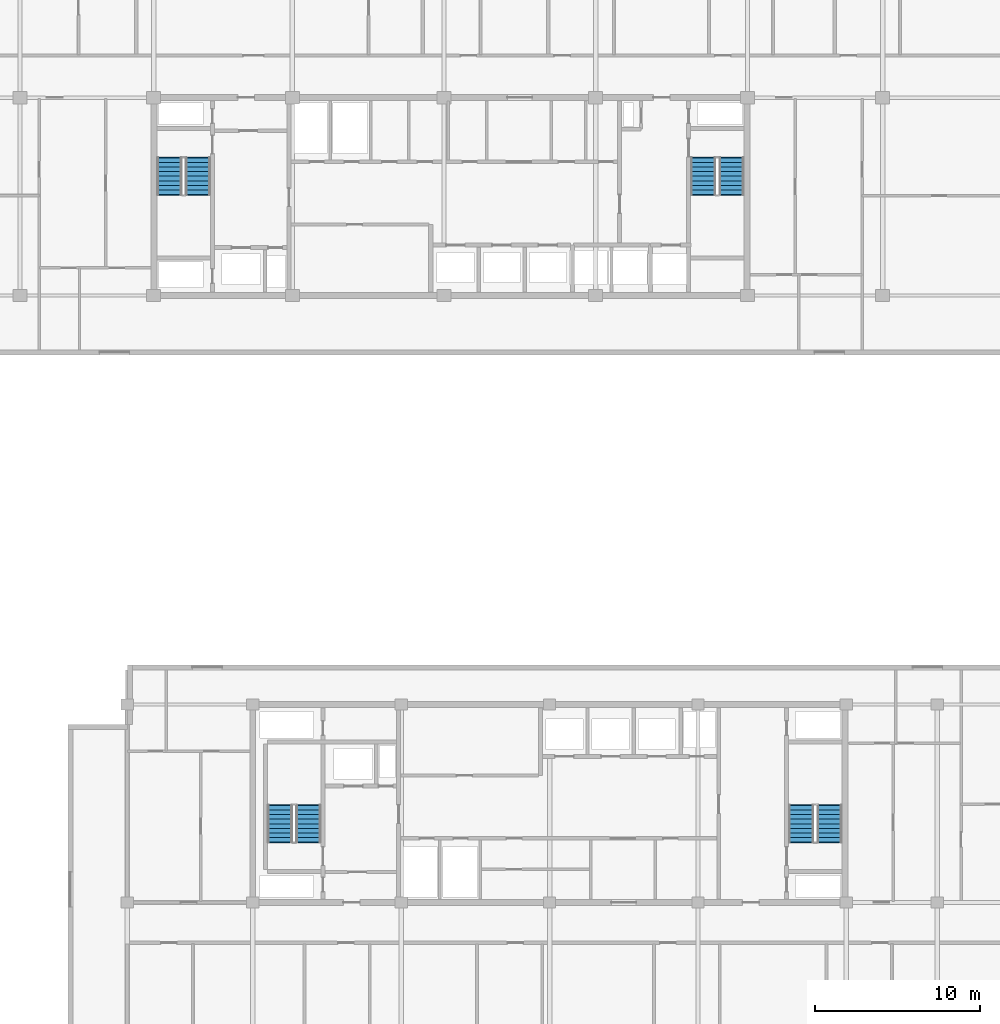
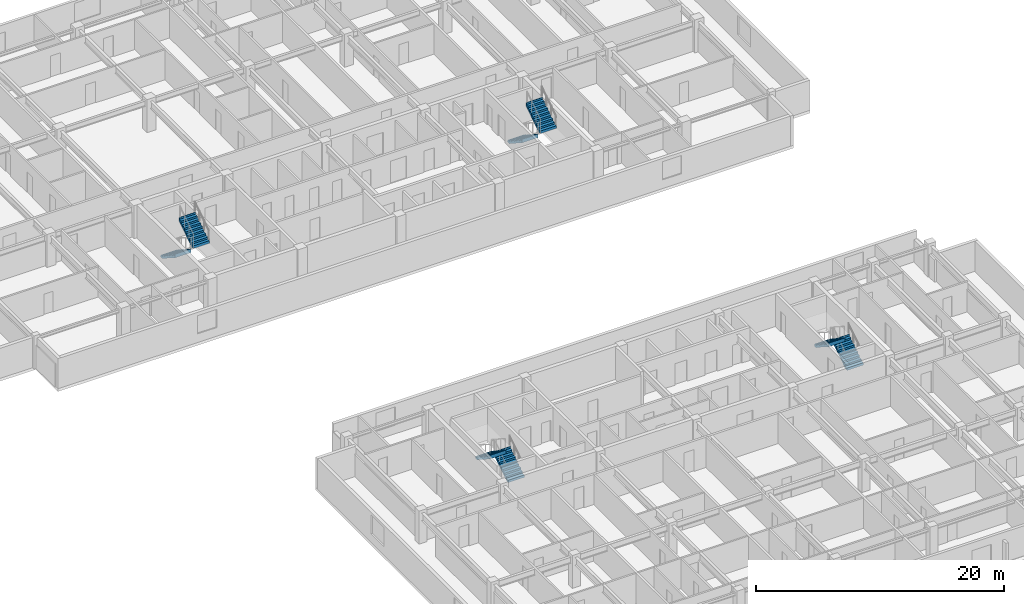
# One storey, part 16 of 21: 8 stair flights, 4 elements without a shape of their own.
"""IFC4 building model written with IfcOpenShell, lengths in metres."""

import ifcopenshell
import ifcopenshell.guid

model = None  # the IFC model being written
_history = None  # IfcOwnerHistory: only IFC2X3 demands one
_inside = {}  # id of a spatial element -> (the spatial element, [elements in it])
_under = {}  # id of a project, library or spatial element -> (it, [spatial elements below it])
_declared = {}  # id of a project -> (the project, [libraries it declares])
_typed = {}  # id of a type object -> (the type object, [elements of that type])
_made_of = {}  # id of a material, layer set ... -> (it, [elements and type objects made of it])


def new_model(schema):
    """Start an empty IFC model of exactly this schema.

    Asked for "IFC4X3", IfcOpenShell would pick the latest addendum, in which some entities
    have other attributes; the version numbers below select the first issue.
    IFC2X3 requires an IfcOwnerHistory on every rooted entity: one is made here for all.
    """
    global model, _history
    if schema == "IFC4X3":
        model = ifcopenshell.file(schema_version=(4, 3, 0, 0))
    else:
        model = ifcopenshell.file(schema=schema)
    _inside.clear()
    _under.clear()
    _declared.clear()
    _typed.clear()
    _made_of.clear()
    _history = None
    if model.schema == "IFC2X3":
        org = make("IfcOrganization", Name="unknown")
        user = make(
            "IfcPersonAndOrganization",
            ThePerson=make("IfcPerson", FamilyName="unknown"),
            TheOrganization=org,
        )
        app = make(
            "IfcApplication",
            ApplicationDeveloper=org,
            Version="unknown",
            ApplicationFullName="unknown",
            ApplicationIdentifier="unknown",
        )
        _history = make(
            "IfcOwnerHistory",
            OwningUser=user,
            OwningApplication=app,
            ChangeAction="ADDED",
            CreationDate=0,
        )
    return model


def make(cls, **values):
    """One entity of the class cls with the attributes given. An attribute that is None is left unset."""
    return model.create_entity(
        cls, **{name: value for name, value in values.items() if value is not None}
    )


def rooted(cls, **values):
    """An entity with a GlobalId (a new one), such as an element, a storey or a relation."""
    return make(cls, GlobalId=ifcopenshell.guid.new(), OwnerHistory=_history, **values)


def si_unit(unit_type, name, prefix=None):
    """IfcSIUnit, for example si_unit("LENGTHUNIT", "METRE", prefix="MILLI")."""
    return make("IfcSIUnit", UnitType=unit_type, Prefix=prefix, Name=name)


def assignment(units):
    """IfcUnitAssignment: the units of a project."""
    return None if units is None else make("IfcUnitAssignment", Units=units)


def point(xyz):
    """IfcCartesianPoint."""
    return None if xyz is None else make("IfcCartesianPoint", Coordinates=xyz)


def direction(xyz):
    """IfcDirection."""
    return None if xyz is None else make("IfcDirection", DirectionRatios=xyz)


def frame(location, z_axis=None, x_axis=None):
    """IfcAxis2Placement3D, a coordinate frame: its origin and axes. An axis left out is left unset."""
    return make(
        "IfcAxis2Placement3D",
        Location=point(location),
        Axis=direction(z_axis),
        RefDirection=direction(x_axis),
    )


def origin():
    """The frame at (0, 0, 0) with its axes left unset."""
    return frame((0.0, 0.0, 0.0))


def place(relative_to, where):
    """IfcLocalPlacement: puts the frame where relative to a parent placement (None: the world)."""
    return make(
        "IfcLocalPlacement", PlacementRelTo=relative_to, RelativePlacement=where
    )


def context(
    kind, dimensions, precision=None, world=None, true_north=None, identifier=None
):
    """IfcGeometricRepresentationContext, for example the 3D "Model" context."""
    return make(
        "IfcGeometricRepresentationContext",
        ContextIdentifier=identifier,
        ContextType=kind,
        CoordinateSpaceDimension=dimensions,
        Precision=precision,
        WorldCoordinateSystem=world,
        TrueNorth=true_north,
    )


def subcontext(parent, identifier, kind, view, scale=None):
    """IfcGeometricRepresentationSubContext, for example "Body" below "Model"."""
    return make(
        "IfcGeometricRepresentationSubContext",
        ContextIdentifier=identifier,
        ContextType=kind,
        ParentContext=parent,
        TargetScale=scale,
        TargetView=view,
    )


def project(units=None, contexts=None):
    """IfcProject with its units and contexts."""
    return rooted(
        "IfcProject",
        Name="project",
        RepresentationContexts=contexts,
        UnitsInContext=assignment(units),
    )


def spatial(cls, under=None, at=None, **own):
    """A site, building, storey or space (cls), placed at a placement, below another one or the project."""
    s = rooted(cls, ObjectPlacement=at, **own)
    if under is not None:
        _under.setdefault(under.id(), (under, []))[1].append(s)
    return s


def polyline(points):
    """IfcPolyline through the points."""
    return make("IfcPolyline", Points=[point(p) for p in points])


def outline(outer, holes=None, kind="AREA"):
    """IfcArbitraryClosedProfileDef: a profile drawn as a closed curve; with holes, ...WithVoids."""
    if holes is None:
        return make("IfcArbitraryClosedProfileDef", ProfileType=kind, OuterCurve=outer)
    return make(
        "IfcArbitraryProfileDefWithVoids",
        ProfileType=kind,
        OuterCurve=outer,
        InnerCurves=holes,
    )


def extrude(swept, where, along, depth):
    """IfcExtrudedAreaSolid: the profile swept, set in the frame where, extruded along a direction by depth."""
    return make(
        "IfcExtrudedAreaSolid",
        SweptArea=swept,
        Position=where,
        ExtrudedDirection=direction(along),
        Depth=depth,
    )


def shape(context_of_items, identifier, shape_type, items):
    """IfcShapeRepresentation: the items that make up one representation, for example the "Body"."""
    return make(
        "IfcShapeRepresentation",
        ContextOfItems=context_of_items,
        RepresentationIdentifier=identifier,
        RepresentationType=shape_type,
        Items=items,
    )


def material(Name=None, Category=None):
    """IfcMaterial."""
    return make("IfcMaterial", Name=Name, Category=Category)


def made_of(thing, what):
    """Note that an element or type object is made of a material, layer set ...; save() writes the relation."""
    if what is not None:
        _made_of.setdefault(what.id(), (what, []))[1].append(thing)
    return thing


def type_object(cls, material=None, **own):
    """A type object (cls), such as IfcWallType, which elements share."""
    return made_of(rooted(cls, **own), material)


def element(
    cls,
    number,
    at=None,
    inside=None,
    cuts=None,
    type_object=None,
    material=None,
    context=None,
    identifier="Body",
    shape_type=None,
    held_by="IfcProductDefinitionShape",
    body=None,
    shapes=None,
    **own,
):
    """One element of the class cls, such as IfcWall. Its Tag is "e" and its number.

    at: its placement. inside: the storey or other place that contains it. cuts: it is an
    opening in that element (IfcRelVoidsElement). A single representation is given by context,
    identifier, shape_type and body (its items); several are given by shapes. held_by: the class
    of the entity that holds the representations. save() writes the other relations.
    """
    e = rooted(cls, Tag="e%d" % number, ObjectPlacement=at, **own)
    if body is not None:
        shapes = [shape(context, identifier, shape_type, body)]
    if shapes is not None:
        e.Representation = make(held_by, Representations=shapes)
    if inside is not None:
        _inside.setdefault(inside.id(), (inside, []))[1].append(e)
    if cuts is not None:
        rooted(
            "IfcRelVoidsElement", RelatingBuildingElement=cuts, RelatedOpeningElement=e
        )
    if type_object is not None:
        _typed.setdefault(type_object.id(), (type_object, []))[1].append(e)
    return made_of(e, material)


def aggregate(whole, parts):
    """IfcRelAggregates: a whole, such as a stair, and the parts it consists of."""
    return rooted("IfcRelAggregates", RelatingObject=whole, RelatedObjects=parts)


def save(model, path):
    """Write the relations noted so far, then the file.

    IfcRelAggregates (storeys below a building ...), IfcRelContainedInSpatialStructure (elements
    in a storey), IfcRelDefinesByType, IfcRelAssociatesMaterial and IfcRelDeclares: one each for
    every whole, place, type object, material and project.
    """
    for whole, parts in _under.values():
        aggregate(whole, parts)
    for where, things in _inside.values():
        rooted(
            "IfcRelContainedInSpatialStructure",
            RelatedElements=things,
            RelatingStructure=where,
        )
    for kind, things in _typed.values():
        rooted("IfcRelDefinesByType", RelatedObjects=things, RelatingType=kind)
    for what, things in _made_of.values():
        rooted("IfcRelAssociatesMaterial", RelatedObjects=things, RelatingMaterial=what)
    for by, libraries in _declared.values():
        rooted("IfcRelDeclares", RelatingContext=by, RelatedDefinitions=libraries)
    model.write(path)


model = new_model("IFC4")

# Units and contexts
model_context = context("Model", 3, precision=1e-05, world=origin(), true_north=direction((0.0, 1.0)))
body_context = subcontext(model_context, "Body", "Model", "MODEL_VIEW")
ifc_project = project(units=[si_unit("LENGTHUNIT", "METRE"), si_unit("AREAUNIT", "SQUARE_METRE"), si_unit("VOLUMEUNIT", "CUBIC_METRE"), si_unit("PLANEANGLEUNIT", "RADIAN"), si_unit("MASSUNIT", "GRAM", prefix="KILO")], contexts=[model_context])

# Site, building, storey
site_placement = place(None, origin())
site = spatial("IfcSite", under=ifc_project, at=site_placement, CompositionType="ELEMENT")
building_placement = place(site_placement, origin())
building = spatial("IfcBuilding", under=site, at=building_placement, Name="Korimba Cascade Residences", CompositionType="ELEMENT")
storey_placement = place(building_placement, frame((0.0, 0.0, 171.85009765625)))
storey = spatial("IfcBuildingStorey", under=building, at=storey_placement, Name="L49", CompositionType="ELEMENT", Elevation=171.85009765625)

# Stair, stair flights
ifc_material = material(Name="Concrete C50/60", Category="concrete")
stair_type_1 = type_object("IfcStairType", Name="STR-W1-18R-1806", PredefinedType="HALF_TURN_STAIR", material=ifc_material)
stair_1_placement = place(storey_placement, origin())
stair_1 = element("IfcStair", 1, at=stair_1_placement, inside=storey, type_object=stair_type_1, Name="L49 Tower 1 West Fire Stair ST-W1", PredefinedType="HALF_TURN_STAIR")
stair_flight_type = type_object("IfcStairFlightType", Name="STF-DL-18R-1806-1520", PredefinedType="STRAIGHT", material=ifc_material)
stair_flight_1_placement = place(storey_placement, frame((77.06005859375, 63.550048828125, 0.0), z_axis=(0.0, 0.0, 1.0), x_axis=(0.0, -1.0, 0.0)))
stair_flight_1 = element("IfcStairFlight", 2, at=stair_flight_1_placement, type_object=stair_flight_type, Name="ST-W1 flight 1", NumberOfRisers=9, NumberOfTreads=8, PredefinedType="STRAIGHT", RiserHeight=0.180555556, TreadLength=0.28, context=body_context, shape_type="SweptSolid", body=[
    extrude(outline(polyline([(-0.0380859375, 0.0), (0.0, 0.1806640625), (0.280029296875, 0.1806640625), (0.280029296875, 0.361083984375), (0.56005859375, 0.361083984375), (0.56005859375, 0.541748046875), (0.840087890625, 0.541748046875), (0.840087890625, 0.72216796875), (1.1201171875, 0.72216796875), (1.1201171875, 0.90283203125), (1.39990234375, 0.90283203125), (1.39990234375, 1.083251953125), (1.679931640625, 1.083251953125), (1.679931640625, 1.263916015625), (1.9599609375, 1.263916015625), (1.9599609375, 1.4443359375), (2.239990234375, 1.4443359375), (2.239990234375, 1.625), (2.278076171875, 1.625), (2.278076171875, 1.26611328125), (0.276611328125, 0.0), (0.276611328125, -0.0380859375), (-0.0380859375, -0.0380859375), (-0.0380859375, 0.0)])), frame((0.0, 0.760009765625, 0.0), z_axis=(0.0, -1.0, 0.0), x_axis=(1.0, 0.0, 0.0)), (0.0, 0.0, 1.0), 1.52001953125),
])
stair_flight_2_placement = place(storey_placement, frame((78.780029296875, 61.31005859375, 1.625), z_axis=(0.0, 0.0, 1.0), x_axis=(0.0, 1.0, 0.0)))
stair_flight_2 = element("IfcStairFlight", 3, at=stair_flight_2_placement, type_object=stair_flight_type, Name="ST-W1 flight 2", NumberOfRisers=9, NumberOfTreads=8, PredefinedType="STRAIGHT", RiserHeight=0.180555556, TreadLength=0.28, context=body_context, shape_type="SweptSolid", body=[
    extrude(outline(polyline([(-0.0380859375, 0.0), (0.0, 0.1806640625), (0.280029296875, 0.1806640625), (0.280029296875, 0.361083984375), (0.56005859375, 0.361083984375), (0.56005859375, 0.541748046875), (0.840087890625, 0.541748046875), (0.840087890625, 0.72216796875), (1.1201171875, 0.72216796875), (1.1201171875, 0.90283203125), (1.39990234375, 0.90283203125), (1.39990234375, 1.083251953125), (1.679931640625, 1.083251953125), (1.679931640625, 1.263916015625), (1.9599609375, 1.263916015625), (1.9599609375, 1.4443359375), (2.239990234375, 1.4443359375), (2.239990234375, 1.625), (2.278076171875, 1.625), (2.278076171875, 1.26611328125), (0.276611328125, 0.0), (0.276611328125, -0.0380859375), (-0.0380859375, -0.0380859375), (-0.0380859375, 0.0)])), frame((0.0, 0.760009765625, 0.0), z_axis=(0.0, -1.0, 0.0), x_axis=(1.0, 0.0, 0.0)), (0.0, 0.0, 1.0), 1.52001953125),
])
aggregate(stair_1, [stair_flight_1, stair_flight_2])

stair_type_2 = type_object("IfcStairType", Name="STR-W2-18R-1806", PredefinedType="HALF_TURN_STAIR", material=ifc_material)
stair_2_placement = place(storey_placement, origin())
stair_2 = element("IfcStair", 4, at=stair_2_placement, inside=storey, type_object=stair_type_2, Name="L49 Tower 1 East Fire Stair ST-W2", PredefinedType="HALF_TURN_STAIR")
stair_flight_3_placement = place(storey_placement, frame((109.419921875, 63.550048828125, 0.0), z_axis=(0.0, 0.0, 1.0), x_axis=(0.0, -1.0, 0.0)))
stair_flight_3 = element("IfcStairFlight", 5, at=stair_flight_3_placement, type_object=stair_flight_type, Name="ST-W2 flight 1", NumberOfRisers=9, NumberOfTreads=8, PredefinedType="STRAIGHT", RiserHeight=0.180555556, TreadLength=0.28, context=body_context, shape_type="SweptSolid", body=[
    extrude(outline(polyline([(-0.0380859375, 0.0), (0.0, 0.1806640625), (0.280029296875, 0.1806640625), (0.280029296875, 0.361083984375), (0.56005859375, 0.361083984375), (0.56005859375, 0.541748046875), (0.840087890625, 0.541748046875), (0.840087890625, 0.72216796875), (1.1201171875, 0.72216796875), (1.1201171875, 0.90283203125), (1.39990234375, 0.90283203125), (1.39990234375, 1.083251953125), (1.679931640625, 1.083251953125), (1.679931640625, 1.263916015625), (1.9599609375, 1.263916015625), (1.9599609375, 1.4443359375), (2.239990234375, 1.4443359375), (2.239990234375, 1.625), (2.278076171875, 1.625), (2.278076171875, 1.26611328125), (0.276611328125, 0.0), (0.276611328125, -0.0380859375), (-0.0380859375, -0.0380859375), (-0.0380859375, 0.0)])), frame((0.0, 0.760009765625, 0.0), z_axis=(0.0, -1.0, 0.0), x_axis=(1.0, 0.0, 0.0)), (0.0, 0.0, 1.0), 1.52001953125),
])
stair_flight_4_placement = place(storey_placement, frame((111.139892578125, 61.31005859375, 1.625), z_axis=(0.0, 0.0, 1.0), x_axis=(0.0, 1.0, 0.0)))
stair_flight_4 = element("IfcStairFlight", 6, at=stair_flight_4_placement, type_object=stair_flight_type, Name="ST-W2 flight 2", NumberOfRisers=9, NumberOfTreads=8, PredefinedType="STRAIGHT", RiserHeight=0.180555556, TreadLength=0.28, context=body_context, shape_type="SweptSolid", body=[
    extrude(outline(polyline([(-0.0380859375, 0.0), (0.0, 0.1806640625), (0.280029296875, 0.1806640625), (0.280029296875, 0.361083984375), (0.56005859375, 0.361083984375), (0.56005859375, 0.541748046875), (0.840087890625, 0.541748046875), (0.840087890625, 0.72216796875), (1.1201171875, 0.72216796875), (1.1201171875, 0.90283203125), (1.39990234375, 0.90283203125), (1.39990234375, 1.083251953125), (1.679931640625, 1.083251953125), (1.679931640625, 1.263916015625), (1.9599609375, 1.263916015625), (1.9599609375, 1.4443359375), (2.239990234375, 1.4443359375), (2.239990234375, 1.625), (2.278076171875, 1.625), (2.278076171875, 1.26611328125), (0.276611328125, 0.0), (0.276611328125, -0.0380859375), (-0.0380859375, -0.0380859375), (-0.0380859375, 0.0)])), frame((0.0, 0.760009765625, 0.0), z_axis=(0.0, -1.0, 0.0), x_axis=(1.0, 0.0, 0.0)), (0.0, 0.0, 1.0), 1.52001953125),
])
aggregate(stair_2, [stair_flight_3, stair_flight_4])

stair_type_3 = type_object("IfcStairType", Name="STR-E1-18R-1806", PredefinedType="HALF_TURN_STAIR", material=ifc_material)
stair_3_placement = place(storey_placement, origin())
stair_3 = element("IfcStair", 7, at=stair_3_placement, inside=storey, type_object=stair_type_3, Name="L49 Tower 2 West Fire Stair ST-E1", PredefinedType="HALF_TURN_STAIR")
stair_flight_5_placement = place(storey_placement, frame((85.47998046875, 22.050048828125, 0.0), z_axis=(0.0, 0.0, 1.0), x_axis=(0.0, 1.0, 0.0)))
stair_flight_5 = element("IfcStairFlight", 8, at=stair_flight_5_placement, type_object=stair_flight_type, Name="ST-E1 flight 1", NumberOfRisers=9, NumberOfTreads=8, PredefinedType="STRAIGHT", RiserHeight=0.180555556, TreadLength=0.28, context=body_context, shape_type="SweptSolid", body=[
    extrude(outline(polyline([(-0.0380859375, 0.0), (0.0, 0.1806640625), (0.280029296875, 0.1806640625), (0.280029296875, 0.361083984375), (0.56005859375, 0.361083984375), (0.56005859375, 0.541748046875), (0.840087890625, 0.541748046875), (0.840087890625, 0.72216796875), (1.1201171875, 0.72216796875), (1.1201171875, 0.90283203125), (1.39990234375, 0.90283203125), (1.39990234375, 1.083251953125), (1.679931640625, 1.083251953125), (1.679931640625, 1.263916015625), (1.9599609375, 1.263916015625), (1.9599609375, 1.4443359375), (2.239990234375, 1.4443359375), (2.239990234375, 1.625), (2.278076171875, 1.625), (2.278076171875, 1.26611328125), (0.276611328125, 0.0), (0.276611328125, -0.0380859375), (-0.0380859375, -0.0380859375), (-0.0380859375, 0.0)])), frame((0.0, 0.760009765625, 0.0), z_axis=(0.0, -1.0, 0.0), x_axis=(1.0, 0.0, 0.0)), (0.0, 0.0, 1.0), 1.52001953125),
])
stair_flight_6_placement = place(storey_placement, frame((83.760009765625, 24.2900390625, 1.625), z_axis=(0.0, 0.0, 1.0), x_axis=(0.0, -1.0, 0.0)))
stair_flight_6 = element("IfcStairFlight", 9, at=stair_flight_6_placement, type_object=stair_flight_type, Name="ST-E1 flight 2", NumberOfRisers=9, NumberOfTreads=8, PredefinedType="STRAIGHT", RiserHeight=0.180555556, TreadLength=0.28, context=body_context, shape_type="SweptSolid", body=[
    extrude(outline(polyline([(-0.0380859375, 0.0), (0.0, 0.1806640625), (0.280029296875, 0.1806640625), (0.280029296875, 0.361083984375), (0.56005859375, 0.361083984375), (0.56005859375, 0.541748046875), (0.840087890625, 0.541748046875), (0.840087890625, 0.72216796875), (1.1201171875, 0.72216796875), (1.1201171875, 0.90283203125), (1.39990234375, 0.90283203125), (1.39990234375, 1.083251953125), (1.679931640625, 1.083251953125), (1.679931640625, 1.263916015625), (1.9599609375, 1.263916015625), (1.9599609375, 1.4443359375), (2.239990234375, 1.4443359375), (2.239990234375, 1.625), (2.278076171875, 1.625), (2.278076171875, 1.26611328125), (0.276611328125, 0.0), (0.276611328125, -0.0380859375), (-0.0380859375, -0.0380859375), (-0.0380859375, 0.0)])), frame((0.0, 0.760009765625, 0.0), z_axis=(0.0, -1.0, 0.0), x_axis=(1.0, 0.0, 0.0)), (0.0, 0.0, 1.0), 1.52001953125),
])
aggregate(stair_3, [stair_flight_5, stair_flight_6])

stair_type_4 = type_object("IfcStairType", Name="STR-E2-18R-1806", PredefinedType="HALF_TURN_STAIR", material=ifc_material)
stair_4_placement = place(storey_placement, origin())
stair_4 = element("IfcStair", 10, at=stair_4_placement, inside=storey, type_object=stair_type_4, Name="L49 Tower 2 East Fire Stair ST-E2", PredefinedType="HALF_TURN_STAIR")
stair_flight_7_placement = place(storey_placement, frame((117.080078125, 22.050048828125, 0.0), z_axis=(0.0, 0.0, 1.0), x_axis=(0.0, 1.0, 0.0)))
stair_flight_7 = element("IfcStairFlight", 11, at=stair_flight_7_placement, type_object=stair_flight_type, Name="ST-E2 flight 1", NumberOfRisers=9, NumberOfTreads=8, PredefinedType="STRAIGHT", RiserHeight=0.180555556, TreadLength=0.28, context=body_context, shape_type="SweptSolid", body=[
    extrude(outline(polyline([(-0.0380859375, 0.0), (0.0, 0.1806640625), (0.280029296875, 0.1806640625), (0.280029296875, 0.361083984375), (0.56005859375, 0.361083984375), (0.56005859375, 0.541748046875), (0.840087890625, 0.541748046875), (0.840087890625, 0.72216796875), (1.1201171875, 0.72216796875), (1.1201171875, 0.90283203125), (1.39990234375, 0.90283203125), (1.39990234375, 1.083251953125), (1.679931640625, 1.083251953125), (1.679931640625, 1.263916015625), (1.9599609375, 1.263916015625), (1.9599609375, 1.4443359375), (2.239990234375, 1.4443359375), (2.239990234375, 1.625), (2.278076171875, 1.625), (2.278076171875, 1.26611328125), (0.276611328125, 0.0), (0.276611328125, -0.0380859375), (-0.0380859375, -0.0380859375), (-0.0380859375, 0.0)])), frame((0.0, 0.760009765625, 0.0), z_axis=(0.0, -1.0, 0.0), x_axis=(1.0, 0.0, 0.0)), (0.0, 0.0, 1.0), 1.52001953125),
])
stair_flight_8_placement = place(storey_placement, frame((115.360107421875, 24.2900390625, 1.625), z_axis=(0.0, 0.0, 1.0), x_axis=(0.0, -1.0, 0.0)))
stair_flight_8 = element("IfcStairFlight", 12, at=stair_flight_8_placement, type_object=stair_flight_type, Name="ST-E2 flight 2", NumberOfRisers=9, NumberOfTreads=8, PredefinedType="STRAIGHT", RiserHeight=0.180555556, TreadLength=0.28, context=body_context, shape_type="SweptSolid", body=[
    extrude(outline(polyline([(-0.0380859375, 0.0), (0.0, 0.1806640625), (0.280029296875, 0.1806640625), (0.280029296875, 0.361083984375), (0.56005859375, 0.361083984375), (0.56005859375, 0.541748046875), (0.840087890625, 0.541748046875), (0.840087890625, 0.72216796875), (1.1201171875, 0.72216796875), (1.1201171875, 0.90283203125), (1.39990234375, 0.90283203125), (1.39990234375, 1.083251953125), (1.679931640625, 1.083251953125), (1.679931640625, 1.263916015625), (1.9599609375, 1.263916015625), (1.9599609375, 1.4443359375), (2.239990234375, 1.4443359375), (2.239990234375, 1.625), (2.278076171875, 1.625), (2.278076171875, 1.26611328125), (0.276611328125, 0.0), (0.276611328125, -0.0380859375), (-0.0380859375, -0.0380859375), (-0.0380859375, 0.0)])), frame((0.0, 0.760009765625, 0.0), z_axis=(0.0, -1.0, 0.0), x_axis=(1.0, 0.0, 0.0)), (0.0, 0.0, 1.0), 1.52001953125),
])
aggregate(stair_4, [stair_flight_7, stair_flight_8])

save(model, "model.ifc")
